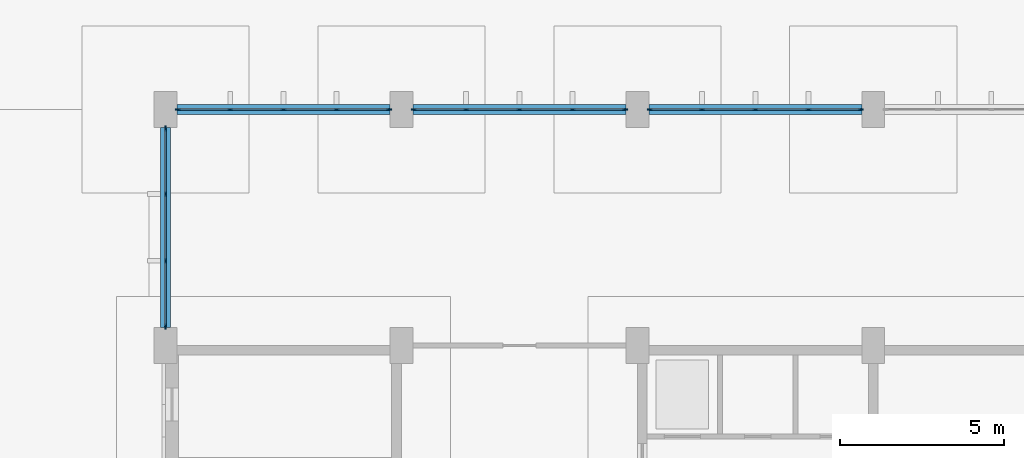
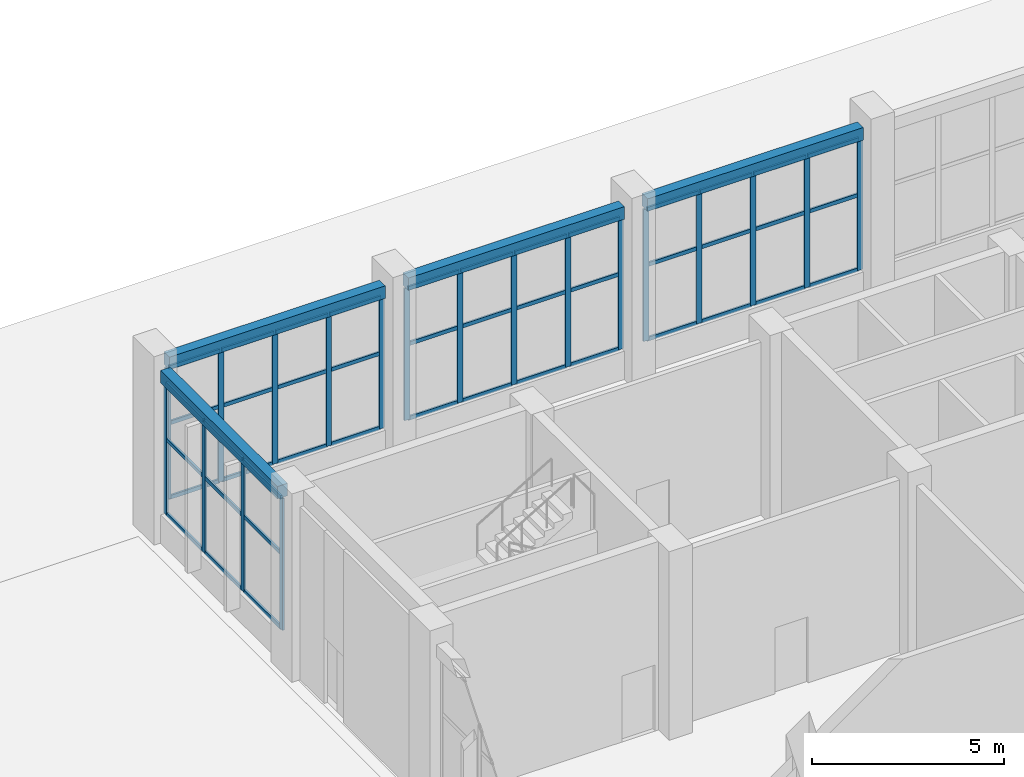
# One storey, part 23 of 70: 64 members, 4 beams, 4 elements without a shape of their own.
"""IFC4 building model written with IfcOpenShell, lengths in metres."""

from ifc_helpers import new_model, si_unit, direction, frame, origin, origin_2d, place, context, subcontext, project, spatial, rectangle, extrude, material, layer, layer_set, material_profile, profile_set, type_object, element, aggregate, save


model = new_model("IFC4")

# Units and contexts
model_context = context("Model", 3, precision=1e-05, world=origin(), true_north=direction((0.0, 1.0)))
body_context = subcontext(model_context, "Body", "Model", "MODEL_VIEW")
ifc_project = project(units=[si_unit("LENGTHUNIT", "METRE"), si_unit("AREAUNIT", "SQUARE_METRE"), si_unit("VOLUMEUNIT", "CUBIC_METRE"), si_unit("PLANEANGLEUNIT", "RADIAN"), si_unit("MASSUNIT", "GRAM", prefix="KILO")], contexts=[model_context])

# Site, building, storey
site_placement = place(None, origin())
site = spatial("IfcSite", under=ifc_project, at=site_placement, CompositionType="ELEMENT")
building_placement = place(site_placement, origin())
building = spatial("IfcBuilding", under=site, at=building_placement, Name="Vermilion Court Aquatics Centre", CompositionType="ELEMENT")
storey_placement = place(building_placement, origin())
storey = spatial("IfcBuildingStorey", under=building, at=storey_placement, Name="L00", CompositionType="ELEMENT", Elevation=0.0)

# Curtain wall, members
ifc_material_1 = material(Name="Aluminium 6063-T5", Category="aluminium")
ifc_layer = layer(ifc_material_1, 0.14990234375)
ifc_layer_set = layer_set([ifc_layer], Name="Podium curtain wall bay, 1800 module")
curtain_wall_type = type_object("IfcCurtainWallType", Name="Podium curtain wall bay, 1800 module", PredefinedType="NOTDEFINED", material=ifc_layer_set)
curtain_wall_1_placement = place(storey_placement, origin())
curtain_wall_1 = element("IfcCurtainWall", 1, at=curtain_wall_1_placement, inside=storey, type_object=curtain_wall_type, Name="Curtain wall L00", PredefinedType="NOTDEFINED")
ifc_material_2 = material(Name="Aluminium 6063-T5", Category="aluminium")
ifc_material_profile_1 = material_profile(ifc_material_2, rectangle(XDim=0.06005859375, YDim=0.159912109375, at=origin_2d()), Name="Mullion 60x160")
ifc_profile_set_1 = profile_set([ifc_material_profile_1], Name="Aluminium 6063-T5")
member_type_1 = type_object("IfcMemberType", Name="Podium curtain wall mullion 60x160", PredefinedType="MULLION", material=ifc_profile_set_1)
member_1_placement = place(storey_placement, frame((144.3798828125, 115.199951171875, 0.89990234375), z_axis=(0.0, 0.0, 1.0), x_axis=(0.0, 1.0, 0.0)))
member_1 = element("IfcMember", 2, at=member_1_placement, type_object=member_type_1, Name="PG2 mullion 1", PredefinedType="MULLION", context=body_context, shape_type="SweptSolid", body=[
    extrude(rectangle(XDim=0.06005859375, YDim=0.159912109375, at=origin_2d()), origin(), (0.0, 0.0, 1.0), 4.2001953125),
])
member_2_placement = place(storey_placement, frame((145.97509765625, 115.199951171875, 0.89990234375), z_axis=(0.0, 0.0, 1.0), x_axis=(0.0, 1.0, 0.0)))
member_2 = element("IfcMember", 3, at=member_2_placement, type_object=member_type_1, Name="PG2 mullion 2", PredefinedType="MULLION", context=body_context, shape_type="SweptSolid", body=[
    extrude(rectangle(XDim=0.06005859375, YDim=0.159912109375, at=origin_2d()), origin(), (0.0, 0.0, 1.0), 4.2001953125),
])
member_3_placement = place(storey_placement, frame((147.60009765625, 115.199951171875, 0.89990234375), z_axis=(0.0, 0.0, 1.0), x_axis=(0.0, 1.0, 0.0)))
member_3 = element("IfcMember", 4, at=member_3_placement, type_object=member_type_1, Name="PG2 mullion 3", PredefinedType="MULLION", context=body_context, shape_type="SweptSolid", body=[
    extrude(rectangle(XDim=0.06005859375, YDim=0.159912109375, at=origin_2d()), origin(), (0.0, 0.0, 1.0), 4.2001953125),
])
member_4_placement = place(storey_placement, frame((149.22509765625, 115.199951171875, 0.89990234375), z_axis=(0.0, 0.0, 1.0), x_axis=(0.0, 1.0, 0.0)))
member_4 = element("IfcMember", 5, at=member_4_placement, type_object=member_type_1, Name="PG2 mullion 4", PredefinedType="MULLION", context=body_context, shape_type="SweptSolid", body=[
    extrude(rectangle(XDim=0.06005859375, YDim=0.159912109375, at=origin_2d()), origin(), (0.0, 0.0, 1.0), 4.2001953125),
])
member_5_placement = place(storey_placement, frame((150.820068359375, 115.199951171875, 0.89990234375), z_axis=(0.0, 0.0, 1.0), x_axis=(0.0, 1.0, 0.0)))
member_5 = element("IfcMember", 6, at=member_5_placement, type_object=member_type_1, Name="PG2 mullion 5", PredefinedType="MULLION", context=body_context, shape_type="SweptSolid", body=[
    extrude(rectangle(XDim=0.06005859375, YDim=0.159912109375, at=origin_2d()), origin(), (0.0, 0.0, 1.0), 4.2001953125),
])

curtain_wall_2_placement = place(storey_placement, origin())
curtain_wall_2 = element("IfcCurtainWall", 7, at=curtain_wall_2_placement, inside=storey, type_object=curtain_wall_type, Name="Curtain wall L00", PredefinedType="NOTDEFINED")
member_6_placement = place(storey_placement, frame((151.580078125, 115.199951171875, 0.89990234375), z_axis=(0.0, 0.0, 1.0), x_axis=(0.0, 1.0, 0.0)))
member_6 = element("IfcMember", 8, at=member_6_placement, type_object=member_type_1, Name="PG2 mullion 1", PredefinedType="MULLION", context=body_context, shape_type="SweptSolid", body=[
    extrude(rectangle(XDim=0.06005859375, YDim=0.159912109375, at=origin_2d()), origin(), (0.0, 0.0, 1.0), 4.2001953125),
])
member_7_placement = place(storey_placement, frame((153.175048828125, 115.199951171875, 0.89990234375), z_axis=(0.0, 0.0, 1.0), x_axis=(0.0, 1.0, 0.0)))
member_7 = element("IfcMember", 9, at=member_7_placement, type_object=member_type_1, Name="PG2 mullion 2", PredefinedType="MULLION", context=body_context, shape_type="SweptSolid", body=[
    extrude(rectangle(XDim=0.06005859375, YDim=0.159912109375, at=origin_2d()), origin(), (0.0, 0.0, 1.0), 4.2001953125),
])
member_8_placement = place(storey_placement, frame((154.800048828125, 115.199951171875, 0.89990234375), z_axis=(0.0, 0.0, 1.0), x_axis=(0.0, 1.0, 0.0)))
member_8 = element("IfcMember", 10, at=member_8_placement, type_object=member_type_1, Name="PG2 mullion 3", PredefinedType="MULLION", context=body_context, shape_type="SweptSolid", body=[
    extrude(rectangle(XDim=0.06005859375, YDim=0.159912109375, at=origin_2d()), origin(), (0.0, 0.0, 1.0), 4.2001953125),
])
member_9_placement = place(storey_placement, frame((156.425048828125, 115.199951171875, 0.89990234375), z_axis=(0.0, 0.0, 1.0), x_axis=(0.0, 1.0, 0.0)))
member_9 = element("IfcMember", 11, at=member_9_placement, type_object=member_type_1, Name="PG2 mullion 4", PredefinedType="MULLION", context=body_context, shape_type="SweptSolid", body=[
    extrude(rectangle(XDim=0.06005859375, YDim=0.159912109375, at=origin_2d()), origin(), (0.0, 0.0, 1.0), 4.2001953125),
])
member_10_placement = place(storey_placement, frame((158.02001953125, 115.199951171875, 0.89990234375), z_axis=(0.0, 0.0, 1.0), x_axis=(0.0, 1.0, 0.0)))
member_10 = element("IfcMember", 12, at=member_10_placement, type_object=member_type_1, Name="PG2 mullion 5", PredefinedType="MULLION", context=body_context, shape_type="SweptSolid", body=[
    extrude(rectangle(XDim=0.06005859375, YDim=0.159912109375, at=origin_2d()), origin(), (0.0, 0.0, 1.0), 4.2001953125),
])

curtain_wall_3_placement = place(storey_placement, origin())
curtain_wall_3 = element("IfcCurtainWall", 13, at=curtain_wall_3_placement, inside=storey, type_object=curtain_wall_type, Name="Curtain wall L00", PredefinedType="NOTDEFINED")
member_11_placement = place(storey_placement, frame((158.780029296875, 115.199951171875, 0.89990234375), z_axis=(0.0, 0.0, 1.0), x_axis=(0.0, 1.0, 0.0)))
member_11 = element("IfcMember", 14, at=member_11_placement, type_object=member_type_1, Name="PG2 mullion 1", PredefinedType="MULLION", context=body_context, shape_type="SweptSolid", body=[
    extrude(rectangle(XDim=0.06005859375, YDim=0.159912109375, at=origin_2d()), origin(), (0.0, 0.0, 1.0), 4.2001953125),
])
member_12_placement = place(storey_placement, frame((160.375, 115.199951171875, 0.89990234375), z_axis=(0.0, 0.0, 1.0), x_axis=(0.0, 1.0, 0.0)))
member_12 = element("IfcMember", 15, at=member_12_placement, type_object=member_type_1, Name="PG2 mullion 2", PredefinedType="MULLION", context=body_context, shape_type="SweptSolid", body=[
    extrude(rectangle(XDim=0.06005859375, YDim=0.159912109375, at=origin_2d()), origin(), (0.0, 0.0, 1.0), 4.2001953125),
])
member_13_placement = place(storey_placement, frame((162.0, 115.199951171875, 0.89990234375), z_axis=(0.0, 0.0, 1.0), x_axis=(0.0, 1.0, 0.0)))
member_13 = element("IfcMember", 16, at=member_13_placement, type_object=member_type_1, Name="PG2 mullion 3", PredefinedType="MULLION", context=body_context, shape_type="SweptSolid", body=[
    extrude(rectangle(XDim=0.06005859375, YDim=0.159912109375, at=origin_2d()), origin(), (0.0, 0.0, 1.0), 4.2001953125),
])
member_14_placement = place(storey_placement, frame((163.625, 115.199951171875, 0.89990234375), z_axis=(0.0, 0.0, 1.0), x_axis=(0.0, 1.0, 0.0)))
member_14 = element("IfcMember", 17, at=member_14_placement, type_object=member_type_1, Name="PG2 mullion 4", PredefinedType="MULLION", context=body_context, shape_type="SweptSolid", body=[
    extrude(rectangle(XDim=0.06005859375, YDim=0.159912109375, at=origin_2d()), origin(), (0.0, 0.0, 1.0), 4.2001953125),
])
member_15_placement = place(storey_placement, frame((165.219970703125, 115.199951171875, 0.89990234375), z_axis=(0.0, 0.0, 1.0), x_axis=(0.0, 1.0, 0.0)))
member_15 = element("IfcMember", 18, at=member_15_placement, type_object=member_type_1, Name="PG2 mullion 5", PredefinedType="MULLION", context=body_context, shape_type="SweptSolid", body=[
    extrude(rectangle(XDim=0.06005859375, YDim=0.159912109375, at=origin_2d()), origin(), (0.0, 0.0, 1.0), 4.2001953125),
])

curtain_wall_4_placement = place(storey_placement, origin())
curtain_wall_4 = element("IfcCurtainWall", 19, at=curtain_wall_4_placement, inside=storey, type_object=curtain_wall_type, Name="Curtain wall L00", PredefinedType="NOTDEFINED")
member_16_placement = place(storey_placement, frame((144.0, 108.580078125, 0.89990234375), z_axis=(0.0, 0.0, 1.0), x_axis=(-1.0, 0.0, 0.0)))
member_16 = element("IfcMember", 20, at=member_16_placement, type_object=member_type_1, Name="PG2 mullion 1", PredefinedType="MULLION", context=body_context, shape_type="SweptSolid", body=[
    extrude(rectangle(XDim=0.06005859375, YDim=0.159912109375, at=origin_2d()), origin(), (0.0, 0.0, 1.0), 4.2001953125),
])
member_17_placement = place(storey_placement, frame((144.0, 110.583251953125, 0.89990234375), z_axis=(0.0, 0.0, 1.0), x_axis=(-1.0, 0.0, 0.0)))
member_17 = element("IfcMember", 21, at=member_17_placement, type_object=member_type_1, Name="PG2 mullion 2", PredefinedType="MULLION", context=body_context, shape_type="SweptSolid", body=[
    extrude(rectangle(XDim=0.06005859375, YDim=0.159912109375, at=origin_2d()), origin(), (0.0, 0.0, 1.0), 4.2001953125),
])
member_18_placement = place(storey_placement, frame((144.0, 112.61669921875, 0.89990234375), z_axis=(0.0, 0.0, 1.0), x_axis=(-1.0, 0.0, 0.0)))
member_18 = element("IfcMember", 22, at=member_18_placement, type_object=member_type_1, Name="PG2 mullion 3", PredefinedType="MULLION", context=body_context, shape_type="SweptSolid", body=[
    extrude(rectangle(XDim=0.06005859375, YDim=0.159912109375, at=origin_2d()), origin(), (0.0, 0.0, 1.0), 4.2001953125),
])
member_19_placement = place(storey_placement, frame((144.0, 114.6201171875, 0.89990234375), z_axis=(0.0, 0.0, 1.0), x_axis=(-1.0, 0.0, 0.0)))
member_19 = element("IfcMember", 23, at=member_19_placement, type_object=member_type_1, Name="PG2 mullion 4", PredefinedType="MULLION", context=body_context, shape_type="SweptSolid", body=[
    extrude(rectangle(XDim=0.06005859375, YDim=0.159912109375, at=origin_2d()), origin(), (0.0, 0.0, 1.0), 4.2001953125),
])

# Member
ifc_material_3 = material(Name="Aluminium 6063-T5", Category="aluminium")
ifc_material_profile_2 = material_profile(ifc_material_3, rectangle(XDim=0.06005859375, YDim=0.1201171875, at=origin_2d()), Name="Transom 60x120")
ifc_profile_set_2 = profile_set([ifc_material_profile_2], Name="Aluminium 6063-T5")
member_type_2 = type_object("IfcMemberType", Name="Podium curtain wall transom 60x120", PredefinedType="USERDEFINED", material=ifc_profile_set_2)
member_20_placement = place(storey_placement, frame((144.409912109375, 115.199951171875, 0.929931640625), z_axis=(1.0, 0.0, 0.0), x_axis=(0.0, 1.0, 0.0)))
member_20 = element("IfcMember", 24, at=member_20_placement, type_object=member_type_2, Name="PG2 transom 1.1", ObjectType="TRANSOM", PredefinedType="USERDEFINED", context=body_context, shape_type="SweptSolid", body=[
    extrude(rectangle(XDim=0.06005859375, YDim=0.1201171875, at=origin_2d()), origin(), (0.0, 0.0, 1.0), 1.53515625),
])

member_21_placement = place(storey_placement, frame((144.409912109375, 115.199951171875, 3.300048828125), z_axis=(1.0, 0.0, 0.0), x_axis=(0.0, 1.0, 0.0)))
member_21 = element("IfcMember", 25, at=member_21_placement, type_object=member_type_2, Name="PG2 transom 1.2", ObjectType="TRANSOM", PredefinedType="USERDEFINED", context=body_context, shape_type="SweptSolid", body=[
    extrude(rectangle(XDim=0.06005859375, YDim=0.1201171875, at=origin_2d()), origin(), (0.0, 0.0, 1.0), 1.53515625),
])

member_22_placement = place(storey_placement, frame((144.409912109375, 115.199951171875, 5.070068359375), z_axis=(1.0, 0.0, 0.0), x_axis=(0.0, 1.0, 0.0)))
member_22 = element("IfcMember", 26, at=member_22_placement, type_object=member_type_2, Name="PG2 transom 1.3", ObjectType="TRANSOM", PredefinedType="USERDEFINED", context=body_context, shape_type="SweptSolid", body=[
    extrude(rectangle(XDim=0.06005859375, YDim=0.1201171875, at=origin_2d()), origin(), (0.0, 0.0, 1.0), 1.53515625),
])

member_23_placement = place(storey_placement, frame((146.0048828125, 115.199951171875, 0.929931640625), z_axis=(1.0, 0.0, 0.0), x_axis=(0.0, 1.0, 0.0)))
member_23 = element("IfcMember", 27, at=member_23_placement, type_object=member_type_2, Name="PG2 transom 2.1", ObjectType="TRANSOM", PredefinedType="USERDEFINED", context=body_context, shape_type="SweptSolid", body=[
    extrude(rectangle(XDim=0.06005859375, YDim=0.1201171875, at=origin_2d()), origin(), (0.0, 0.0, 1.0), 1.565185546875),
])

member_24_placement = place(storey_placement, frame((146.0048828125, 115.199951171875, 3.300048828125), z_axis=(1.0, 0.0, 0.0), x_axis=(0.0, 1.0, 0.0)))
member_24 = element("IfcMember", 28, at=member_24_placement, type_object=member_type_2, Name="PG2 transom 2.2", ObjectType="TRANSOM", PredefinedType="USERDEFINED", context=body_context, shape_type="SweptSolid", body=[
    extrude(rectangle(XDim=0.06005859375, YDim=0.1201171875, at=origin_2d()), origin(), (0.0, 0.0, 1.0), 1.565185546875),
])

member_25_placement = place(storey_placement, frame((146.0048828125, 115.199951171875, 5.070068359375), z_axis=(1.0, 0.0, 0.0), x_axis=(0.0, 1.0, 0.0)))
member_25 = element("IfcMember", 29, at=member_25_placement, type_object=member_type_2, Name="PG2 transom 2.3", ObjectType="TRANSOM", PredefinedType="USERDEFINED", context=body_context, shape_type="SweptSolid", body=[
    extrude(rectangle(XDim=0.06005859375, YDim=0.1201171875, at=origin_2d()), origin(), (0.0, 0.0, 1.0), 1.565185546875),
])

member_26_placement = place(storey_placement, frame((147.6298828125, 115.199951171875, 0.929931640625), z_axis=(1.0, 0.0, 0.0), x_axis=(0.0, 1.0, 0.0)))
member_26 = element("IfcMember", 30, at=member_26_placement, type_object=member_type_2, Name="PG2 transom 3.1", ObjectType="TRANSOM", PredefinedType="USERDEFINED", context=body_context, shape_type="SweptSolid", body=[
    extrude(rectangle(XDim=0.06005859375, YDim=0.1201171875, at=origin_2d()), origin(), (0.0, 0.0, 1.0), 1.565185546875),
])

member_27_placement = place(storey_placement, frame((147.6298828125, 115.199951171875, 3.300048828125), z_axis=(1.0, 0.0, 0.0), x_axis=(0.0, 1.0, 0.0)))
member_27 = element("IfcMember", 31, at=member_27_placement, type_object=member_type_2, Name="PG2 transom 3.2", ObjectType="TRANSOM", PredefinedType="USERDEFINED", context=body_context, shape_type="SweptSolid", body=[
    extrude(rectangle(XDim=0.06005859375, YDim=0.1201171875, at=origin_2d()), origin(), (0.0, 0.0, 1.0), 1.565185546875),
])

member_28_placement = place(storey_placement, frame((147.6298828125, 115.199951171875, 5.070068359375), z_axis=(1.0, 0.0, 0.0), x_axis=(0.0, 1.0, 0.0)))
member_28 = element("IfcMember", 32, at=member_28_placement, type_object=member_type_2, Name="PG2 transom 3.3", ObjectType="TRANSOM", PredefinedType="USERDEFINED", context=body_context, shape_type="SweptSolid", body=[
    extrude(rectangle(XDim=0.06005859375, YDim=0.1201171875, at=origin_2d()), origin(), (0.0, 0.0, 1.0), 1.565185546875),
])

member_29_placement = place(storey_placement, frame((149.2548828125, 115.199951171875, 0.929931640625), z_axis=(1.0, 0.0, 0.0), x_axis=(0.0, 1.0, 0.0)))
member_29 = element("IfcMember", 33, at=member_29_placement, type_object=member_type_2, Name="PG2 transom 4.1", ObjectType="TRANSOM", PredefinedType="USERDEFINED", context=body_context, shape_type="SweptSolid", body=[
    extrude(rectangle(XDim=0.06005859375, YDim=0.1201171875, at=origin_2d()), origin(), (0.0, 0.0, 1.0), 1.53515625),
])

member_30_placement = place(storey_placement, frame((149.2548828125, 115.199951171875, 3.300048828125), z_axis=(1.0, 0.0, 0.0), x_axis=(0.0, 1.0, 0.0)))
member_30 = element("IfcMember", 34, at=member_30_placement, type_object=member_type_2, Name="PG2 transom 4.2", ObjectType="TRANSOM", PredefinedType="USERDEFINED", context=body_context, shape_type="SweptSolid", body=[
    extrude(rectangle(XDim=0.06005859375, YDim=0.1201171875, at=origin_2d()), origin(), (0.0, 0.0, 1.0), 1.53515625),
])

member_31_placement = place(storey_placement, frame((149.2548828125, 115.199951171875, 5.070068359375), z_axis=(1.0, 0.0, 0.0), x_axis=(0.0, 1.0, 0.0)))
member_31 = element("IfcMember", 35, at=member_31_placement, type_object=member_type_2, Name="PG2 transom 4.3", ObjectType="TRANSOM", PredefinedType="USERDEFINED", context=body_context, shape_type="SweptSolid", body=[
    extrude(rectangle(XDim=0.06005859375, YDim=0.1201171875, at=origin_2d()), origin(), (0.0, 0.0, 1.0), 1.53515625),
])

aggregate(curtain_wall_1, [member_1, member_2, member_3, member_4, member_5, member_20, member_21, member_22, member_23, member_24, member_25, member_26, member_27, member_28, member_29, member_30, member_31])

member_32_placement = place(storey_placement, frame((151.610107421875, 115.199951171875, 0.929931640625), z_axis=(1.0, 0.0, 0.0), x_axis=(0.0, 1.0, 0.0)))
member_32 = element("IfcMember", 36, at=member_32_placement, type_object=member_type_2, Name="PG2 transom 1.1", ObjectType="TRANSOM", PredefinedType="USERDEFINED", context=body_context, shape_type="SweptSolid", body=[
    extrude(rectangle(XDim=0.06005859375, YDim=0.1201171875, at=origin_2d()), origin(), (0.0, 0.0, 1.0), 1.534912109375),
])

member_33_placement = place(storey_placement, frame((151.610107421875, 115.199951171875, 3.300048828125), z_axis=(1.0, 0.0, 0.0), x_axis=(0.0, 1.0, 0.0)))
member_33 = element("IfcMember", 37, at=member_33_placement, type_object=member_type_2, Name="PG2 transom 1.2", ObjectType="TRANSOM", PredefinedType="USERDEFINED", context=body_context, shape_type="SweptSolid", body=[
    extrude(rectangle(XDim=0.06005859375, YDim=0.1201171875, at=origin_2d()), origin(), (0.0, 0.0, 1.0), 1.534912109375),
])

member_34_placement = place(storey_placement, frame((151.610107421875, 115.199951171875, 5.070068359375), z_axis=(1.0, 0.0, 0.0), x_axis=(0.0, 1.0, 0.0)))
member_34 = element("IfcMember", 38, at=member_34_placement, type_object=member_type_2, Name="PG2 transom 1.3", ObjectType="TRANSOM", PredefinedType="USERDEFINED", context=body_context, shape_type="SweptSolid", body=[
    extrude(rectangle(XDim=0.06005859375, YDim=0.1201171875, at=origin_2d()), origin(), (0.0, 0.0, 1.0), 1.534912109375),
])

member_35_placement = place(storey_placement, frame((153.205078125, 115.199951171875, 0.929931640625), z_axis=(1.0, 0.0, 0.0), x_axis=(0.0, 1.0, 0.0)))
member_35 = element("IfcMember", 39, at=member_35_placement, type_object=member_type_2, Name="PG2 transom 2.1", ObjectType="TRANSOM", PredefinedType="USERDEFINED", context=body_context, shape_type="SweptSolid", body=[
    extrude(rectangle(XDim=0.06005859375, YDim=0.1201171875, at=origin_2d()), origin(), (0.0, 0.0, 1.0), 1.56494140625),
])

member_36_placement = place(storey_placement, frame((153.205078125, 115.199951171875, 3.300048828125), z_axis=(1.0, 0.0, 0.0), x_axis=(0.0, 1.0, 0.0)))
member_36 = element("IfcMember", 40, at=member_36_placement, type_object=member_type_2, Name="PG2 transom 2.2", ObjectType="TRANSOM", PredefinedType="USERDEFINED", context=body_context, shape_type="SweptSolid", body=[
    extrude(rectangle(XDim=0.06005859375, YDim=0.1201171875, at=origin_2d()), origin(), (0.0, 0.0, 1.0), 1.56494140625),
])

member_37_placement = place(storey_placement, frame((153.205078125, 115.199951171875, 5.070068359375), z_axis=(1.0, 0.0, 0.0), x_axis=(0.0, 1.0, 0.0)))
member_37 = element("IfcMember", 41, at=member_37_placement, type_object=member_type_2, Name="PG2 transom 2.3", ObjectType="TRANSOM", PredefinedType="USERDEFINED", context=body_context, shape_type="SweptSolid", body=[
    extrude(rectangle(XDim=0.06005859375, YDim=0.1201171875, at=origin_2d()), origin(), (0.0, 0.0, 1.0), 1.56494140625),
])

member_38_placement = place(storey_placement, frame((154.830078125, 115.199951171875, 0.929931640625), z_axis=(1.0, 0.0, 0.0), x_axis=(0.0, 1.0, 0.0)))
member_38 = element("IfcMember", 42, at=member_38_placement, type_object=member_type_2, Name="PG2 transom 3.1", ObjectType="TRANSOM", PredefinedType="USERDEFINED", context=body_context, shape_type="SweptSolid", body=[
    extrude(rectangle(XDim=0.06005859375, YDim=0.1201171875, at=origin_2d()), origin(), (0.0, 0.0, 1.0), 1.56494140625),
])

member_39_placement = place(storey_placement, frame((154.830078125, 115.199951171875, 3.300048828125), z_axis=(1.0, 0.0, 0.0), x_axis=(0.0, 1.0, 0.0)))
member_39 = element("IfcMember", 43, at=member_39_placement, type_object=member_type_2, Name="PG2 transom 3.2", ObjectType="TRANSOM", PredefinedType="USERDEFINED", context=body_context, shape_type="SweptSolid", body=[
    extrude(rectangle(XDim=0.06005859375, YDim=0.1201171875, at=origin_2d()), origin(), (0.0, 0.0, 1.0), 1.56494140625),
])

member_40_placement = place(storey_placement, frame((154.830078125, 115.199951171875, 5.070068359375), z_axis=(1.0, 0.0, 0.0), x_axis=(0.0, 1.0, 0.0)))
member_40 = element("IfcMember", 44, at=member_40_placement, type_object=member_type_2, Name="PG2 transom 3.3", ObjectType="TRANSOM", PredefinedType="USERDEFINED", context=body_context, shape_type="SweptSolid", body=[
    extrude(rectangle(XDim=0.06005859375, YDim=0.1201171875, at=origin_2d()), origin(), (0.0, 0.0, 1.0), 1.56494140625),
])

member_41_placement = place(storey_placement, frame((156.455078125, 115.199951171875, 0.929931640625), z_axis=(1.0, 0.0, 0.0), x_axis=(0.0, 1.0, 0.0)))
member_41 = element("IfcMember", 45, at=member_41_placement, type_object=member_type_2, Name="PG2 transom 4.1", ObjectType="TRANSOM", PredefinedType="USERDEFINED", context=body_context, shape_type="SweptSolid", body=[
    extrude(rectangle(XDim=0.06005859375, YDim=0.1201171875, at=origin_2d()), origin(), (0.0, 0.0, 1.0), 1.534912109375),
])

member_42_placement = place(storey_placement, frame((156.455078125, 115.199951171875, 3.300048828125), z_axis=(1.0, 0.0, 0.0), x_axis=(0.0, 1.0, 0.0)))
member_42 = element("IfcMember", 46, at=member_42_placement, type_object=member_type_2, Name="PG2 transom 4.2", ObjectType="TRANSOM", PredefinedType="USERDEFINED", context=body_context, shape_type="SweptSolid", body=[
    extrude(rectangle(XDim=0.06005859375, YDim=0.1201171875, at=origin_2d()), origin(), (0.0, 0.0, 1.0), 1.534912109375),
])

member_43_placement = place(storey_placement, frame((156.455078125, 115.199951171875, 5.070068359375), z_axis=(1.0, 0.0, 0.0), x_axis=(0.0, 1.0, 0.0)))
member_43 = element("IfcMember", 47, at=member_43_placement, type_object=member_type_2, Name="PG2 transom 4.3", ObjectType="TRANSOM", PredefinedType="USERDEFINED", context=body_context, shape_type="SweptSolid", body=[
    extrude(rectangle(XDim=0.06005859375, YDim=0.1201171875, at=origin_2d()), origin(), (0.0, 0.0, 1.0), 1.534912109375),
])

aggregate(curtain_wall_2, [member_6, member_7, member_8, member_9, member_10, member_32, member_33, member_34, member_35, member_36, member_37, member_38, member_39, member_40, member_41, member_42, member_43])

member_44_placement = place(storey_placement, frame((158.81005859375, 115.199951171875, 0.929931640625), z_axis=(1.0, 0.0, 0.0), x_axis=(0.0, 1.0, 0.0)))
member_44 = element("IfcMember", 48, at=member_44_placement, type_object=member_type_2, Name="PG2 transom 1.1", ObjectType="TRANSOM", PredefinedType="USERDEFINED", context=body_context, shape_type="SweptSolid", body=[
    extrude(rectangle(XDim=0.06005859375, YDim=0.1201171875, at=origin_2d()), origin(), (0.0, 0.0, 1.0), 1.534912109375),
])

member_45_placement = place(storey_placement, frame((158.81005859375, 115.199951171875, 3.300048828125), z_axis=(1.0, 0.0, 0.0), x_axis=(0.0, 1.0, 0.0)))
member_45 = element("IfcMember", 49, at=member_45_placement, type_object=member_type_2, Name="PG2 transom 1.2", ObjectType="TRANSOM", PredefinedType="USERDEFINED", context=body_context, shape_type="SweptSolid", body=[
    extrude(rectangle(XDim=0.06005859375, YDim=0.1201171875, at=origin_2d()), origin(), (0.0, 0.0, 1.0), 1.534912109375),
])

member_46_placement = place(storey_placement, frame((158.81005859375, 115.199951171875, 5.070068359375), z_axis=(1.0, 0.0, 0.0), x_axis=(0.0, 1.0, 0.0)))
member_46 = element("IfcMember", 50, at=member_46_placement, type_object=member_type_2, Name="PG2 transom 1.3", ObjectType="TRANSOM", PredefinedType="USERDEFINED", context=body_context, shape_type="SweptSolid", body=[
    extrude(rectangle(XDim=0.06005859375, YDim=0.1201171875, at=origin_2d()), origin(), (0.0, 0.0, 1.0), 1.534912109375),
])

member_47_placement = place(storey_placement, frame((160.405029296875, 115.199951171875, 0.929931640625), z_axis=(1.0, 0.0, 0.0), x_axis=(0.0, 1.0, 0.0)))
member_47 = element("IfcMember", 51, at=member_47_placement, type_object=member_type_2, Name="PG2 transom 2.1", ObjectType="TRANSOM", PredefinedType="USERDEFINED", context=body_context, shape_type="SweptSolid", body=[
    extrude(rectangle(XDim=0.06005859375, YDim=0.1201171875, at=origin_2d()), origin(), (0.0, 0.0, 1.0), 1.56494140625),
])

member_48_placement = place(storey_placement, frame((160.405029296875, 115.199951171875, 3.300048828125), z_axis=(1.0, 0.0, 0.0), x_axis=(0.0, 1.0, 0.0)))
member_48 = element("IfcMember", 52, at=member_48_placement, type_object=member_type_2, Name="PG2 transom 2.2", ObjectType="TRANSOM", PredefinedType="USERDEFINED", context=body_context, shape_type="SweptSolid", body=[
    extrude(rectangle(XDim=0.06005859375, YDim=0.1201171875, at=origin_2d()), origin(), (0.0, 0.0, 1.0), 1.56494140625),
])

member_49_placement = place(storey_placement, frame((160.405029296875, 115.199951171875, 5.070068359375), z_axis=(1.0, 0.0, 0.0), x_axis=(0.0, 1.0, 0.0)))
member_49 = element("IfcMember", 53, at=member_49_placement, type_object=member_type_2, Name="PG2 transom 2.3", ObjectType="TRANSOM", PredefinedType="USERDEFINED", context=body_context, shape_type="SweptSolid", body=[
    extrude(rectangle(XDim=0.06005859375, YDim=0.1201171875, at=origin_2d()), origin(), (0.0, 0.0, 1.0), 1.56494140625),
])

member_50_placement = place(storey_placement, frame((162.030029296875, 115.199951171875, 0.929931640625), z_axis=(1.0, 0.0, 0.0), x_axis=(0.0, 1.0, 0.0)))
member_50 = element("IfcMember", 54, at=member_50_placement, type_object=member_type_2, Name="PG2 transom 3.1", ObjectType="TRANSOM", PredefinedType="USERDEFINED", context=body_context, shape_type="SweptSolid", body=[
    extrude(rectangle(XDim=0.06005859375, YDim=0.1201171875, at=origin_2d()), origin(), (0.0, 0.0, 1.0), 1.56494140625),
])

member_51_placement = place(storey_placement, frame((162.030029296875, 115.199951171875, 3.300048828125), z_axis=(1.0, 0.0, 0.0), x_axis=(0.0, 1.0, 0.0)))
member_51 = element("IfcMember", 55, at=member_51_placement, type_object=member_type_2, Name="PG2 transom 3.2", ObjectType="TRANSOM", PredefinedType="USERDEFINED", context=body_context, shape_type="SweptSolid", body=[
    extrude(rectangle(XDim=0.06005859375, YDim=0.1201171875, at=origin_2d()), origin(), (0.0, 0.0, 1.0), 1.56494140625),
])

member_52_placement = place(storey_placement, frame((162.030029296875, 115.199951171875, 5.070068359375), z_axis=(1.0, 0.0, 0.0), x_axis=(0.0, 1.0, 0.0)))
member_52 = element("IfcMember", 56, at=member_52_placement, type_object=member_type_2, Name="PG2 transom 3.3", ObjectType="TRANSOM", PredefinedType="USERDEFINED", context=body_context, shape_type="SweptSolid", body=[
    extrude(rectangle(XDim=0.06005859375, YDim=0.1201171875, at=origin_2d()), origin(), (0.0, 0.0, 1.0), 1.56494140625),
])

member_53_placement = place(storey_placement, frame((163.655029296875, 115.199951171875, 0.929931640625), z_axis=(1.0, 0.0, 0.0), x_axis=(0.0, 1.0, 0.0)))
member_53 = element("IfcMember", 57, at=member_53_placement, type_object=member_type_2, Name="PG2 transom 4.1", ObjectType="TRANSOM", PredefinedType="USERDEFINED", context=body_context, shape_type="SweptSolid", body=[
    extrude(rectangle(XDim=0.06005859375, YDim=0.1201171875, at=origin_2d()), origin(), (0.0, 0.0, 1.0), 1.534912109375),
])

member_54_placement = place(storey_placement, frame((163.655029296875, 115.199951171875, 3.300048828125), z_axis=(1.0, 0.0, 0.0), x_axis=(0.0, 1.0, 0.0)))
member_54 = element("IfcMember", 58, at=member_54_placement, type_object=member_type_2, Name="PG2 transom 4.2", ObjectType="TRANSOM", PredefinedType="USERDEFINED", context=body_context, shape_type="SweptSolid", body=[
    extrude(rectangle(XDim=0.06005859375, YDim=0.1201171875, at=origin_2d()), origin(), (0.0, 0.0, 1.0), 1.534912109375),
])

member_55_placement = place(storey_placement, frame((163.655029296875, 115.199951171875, 5.070068359375), z_axis=(1.0, 0.0, 0.0), x_axis=(0.0, 1.0, 0.0)))
member_55 = element("IfcMember", 59, at=member_55_placement, type_object=member_type_2, Name="PG2 transom 4.3", ObjectType="TRANSOM", PredefinedType="USERDEFINED", context=body_context, shape_type="SweptSolid", body=[
    extrude(rectangle(XDim=0.06005859375, YDim=0.1201171875, at=origin_2d()), origin(), (0.0, 0.0, 1.0), 1.534912109375),
])

aggregate(curtain_wall_3, [member_11, member_12, member_13, member_14, member_15, member_44, member_45, member_46, member_47, member_48, member_49, member_50, member_51, member_52, member_53, member_54, member_55])

member_56_placement = place(storey_placement, frame((144.0, 108.610107421875, 0.929931640625), z_axis=(0.0, 1.0, 0.0), x_axis=(-1.0, 0.0, 0.0)))
member_56 = element("IfcMember", 60, at=member_56_placement, type_object=member_type_2, Name="PG2 transom 1.1", ObjectType="TRANSOM", PredefinedType="USERDEFINED", context=body_context, shape_type="SweptSolid", body=[
    extrude(rectangle(XDim=0.06005859375, YDim=0.1201171875, at=origin_2d()), origin(), (0.0, 0.0, 1.0), 1.943115234375),
])

member_57_placement = place(storey_placement, frame((144.0, 108.610107421875, 3.300048828125), z_axis=(0.0, 1.0, 0.0), x_axis=(-1.0, 0.0, 0.0)))
member_57 = element("IfcMember", 61, at=member_57_placement, type_object=member_type_2, Name="PG2 transom 1.2", ObjectType="TRANSOM", PredefinedType="USERDEFINED", context=body_context, shape_type="SweptSolid", body=[
    extrude(rectangle(XDim=0.06005859375, YDim=0.1201171875, at=origin_2d()), origin(), (0.0, 0.0, 1.0), 1.943115234375),
])

member_58_placement = place(storey_placement, frame((144.0, 108.610107421875, 5.070068359375), z_axis=(0.0, 1.0, 0.0), x_axis=(-1.0, 0.0, 0.0)))
member_58 = element("IfcMember", 62, at=member_58_placement, type_object=member_type_2, Name="PG2 transom 1.3", ObjectType="TRANSOM", PredefinedType="USERDEFINED", context=body_context, shape_type="SweptSolid", body=[
    extrude(rectangle(XDim=0.06005859375, YDim=0.1201171875, at=origin_2d()), origin(), (0.0, 0.0, 1.0), 1.943115234375),
])

member_59_placement = place(storey_placement, frame((144.0, 110.61328125, 0.929931640625), z_axis=(0.0, 1.0, 0.0), x_axis=(-1.0, 0.0, 0.0)))
member_59 = element("IfcMember", 63, at=member_59_placement, type_object=member_type_2, Name="PG2 transom 2.1", ObjectType="TRANSOM", PredefinedType="USERDEFINED", context=body_context, shape_type="SweptSolid", body=[
    extrude(rectangle(XDim=0.06005859375, YDim=0.1201171875, at=origin_2d()), origin(), (0.0, 0.0, 1.0), 1.973388671875),
])

member_60_placement = place(storey_placement, frame((144.0, 110.61328125, 3.300048828125), z_axis=(0.0, 1.0, 0.0), x_axis=(-1.0, 0.0, 0.0)))
member_60 = element("IfcMember", 64, at=member_60_placement, type_object=member_type_2, Name="PG2 transom 2.2", ObjectType="TRANSOM", PredefinedType="USERDEFINED", context=body_context, shape_type="SweptSolid", body=[
    extrude(rectangle(XDim=0.06005859375, YDim=0.1201171875, at=origin_2d()), origin(), (0.0, 0.0, 1.0), 1.973388671875),
])

member_61_placement = place(storey_placement, frame((144.0, 110.61328125, 5.070068359375), z_axis=(0.0, 1.0, 0.0), x_axis=(-1.0, 0.0, 0.0)))
member_61 = element("IfcMember", 65, at=member_61_placement, type_object=member_type_2, Name="PG2 transom 2.3", ObjectType="TRANSOM", PredefinedType="USERDEFINED", context=body_context, shape_type="SweptSolid", body=[
    extrude(rectangle(XDim=0.06005859375, YDim=0.1201171875, at=origin_2d()), origin(), (0.0, 0.0, 1.0), 1.973388671875),
])

member_62_placement = place(storey_placement, frame((144.0, 112.646728515625, 0.929931640625), z_axis=(0.0, 1.0, 0.0), x_axis=(-1.0, 0.0, 0.0)))
member_62 = element("IfcMember", 66, at=member_62_placement, type_object=member_type_2, Name="PG2 transom 3.1", ObjectType="TRANSOM", PredefinedType="USERDEFINED", context=body_context, shape_type="SweptSolid", body=[
    extrude(rectangle(XDim=0.06005859375, YDim=0.1201171875, at=origin_2d()), origin(), (0.0, 0.0, 1.0), 1.943359375),
])

member_63_placement = place(storey_placement, frame((144.0, 112.646728515625, 3.300048828125), z_axis=(0.0, 1.0, 0.0), x_axis=(-1.0, 0.0, 0.0)))
member_63 = element("IfcMember", 67, at=member_63_placement, type_object=member_type_2, Name="PG2 transom 3.2", ObjectType="TRANSOM", PredefinedType="USERDEFINED", context=body_context, shape_type="SweptSolid", body=[
    extrude(rectangle(XDim=0.06005859375, YDim=0.1201171875, at=origin_2d()), origin(), (0.0, 0.0, 1.0), 1.943359375),
])

member_64_placement = place(storey_placement, frame((144.0, 112.646728515625, 5.070068359375), z_axis=(0.0, 1.0, 0.0), x_axis=(-1.0, 0.0, 0.0)))
member_64 = element("IfcMember", 68, at=member_64_placement, type_object=member_type_2, Name="PG2 transom 3.3", ObjectType="TRANSOM", PredefinedType="USERDEFINED", context=body_context, shape_type="SweptSolid", body=[
    extrude(rectangle(XDim=0.06005859375, YDim=0.1201171875, at=origin_2d()), origin(), (0.0, 0.0, 1.0), 1.943359375),
])

aggregate(curtain_wall_4, [member_16, member_17, member_18, member_19, member_56, member_57, member_58, member_59, member_60, member_61, member_62, member_63, member_64])

# Beams
ifc_material_4 = material(Name="Concrete 5000 psi", Category="concrete")
ifc_material_profile_3 = material_profile(ifc_material_4, rectangle(XDim=0.300048828125, YDim=0.39990234375, at=origin_2d()), Name="RC 300x400")
ifc_profile_set_3 = profile_set([ifc_material_profile_3], Name="Concrete 5000 psi")
beam_type = type_object("IfcBeamType", Name="Podium spandrel beam RC 300x400", PredefinedType="BEAM", material=ifc_profile_set_3)
for number, where, z_axis, x_axis, name in (
    (69, (144.35009765625, 115.199951171875, 5.300048828125), (1.0, 0.0, 0.0), (0.0, 1.0, 0.0), "Spandrel beam L00"),
    (70, (151.550048828125, 115.199951171875, 5.300048828125), (1.0, 0.0, 0.0), (0.0, 1.0, 0.0), "Spandrel beam L00"),
    (71, (158.75, 115.199951171875, 5.300048828125), (1.0, 0.0, 0.0), (0.0, 1.0, 0.0), "Spandrel beam L00"),
):
    element("IfcBeam", number, at=place(storey_placement, frame(where, z_axis=z_axis, x_axis=x_axis)), inside=storey, type_object=beam_type, Name=name, PredefinedType="BEAM", context=body_context, shape_type="SweptSolid", body=[
        extrude(rectangle(XDim=0.300048828125, YDim=0.39990234375, at=origin_2d()), origin(), (0.0, 0.0, 1.0), 6.5),
    ])
beam_placement = place(storey_placement, frame((144.0, 108.550048828125, 5.300048828125), z_axis=(0.0, 1.0, 0.0), x_axis=(-1.0, 0.0, 0.0)))
element("IfcBeam", 72, at=beam_placement, inside=storey, type_object=beam_type, Name="Spandrel beam L00", PredefinedType="BEAM", context=body_context, shape_type="SweptSolid", body=[
    extrude(rectangle(XDim=0.300048828125, YDim=0.39990234375, at=origin_2d()), origin(), (0.0, 0.0, 1.0), 6.099853515625),
])

save(model, "model.ifc")
